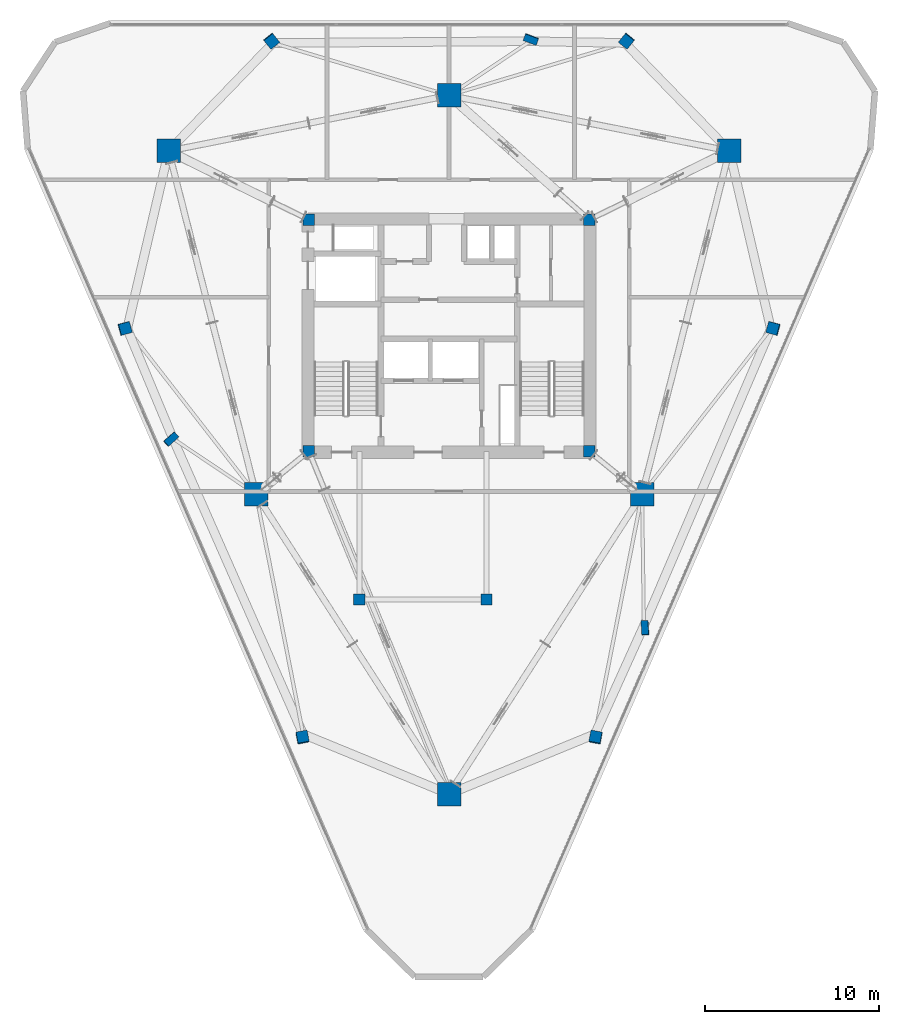
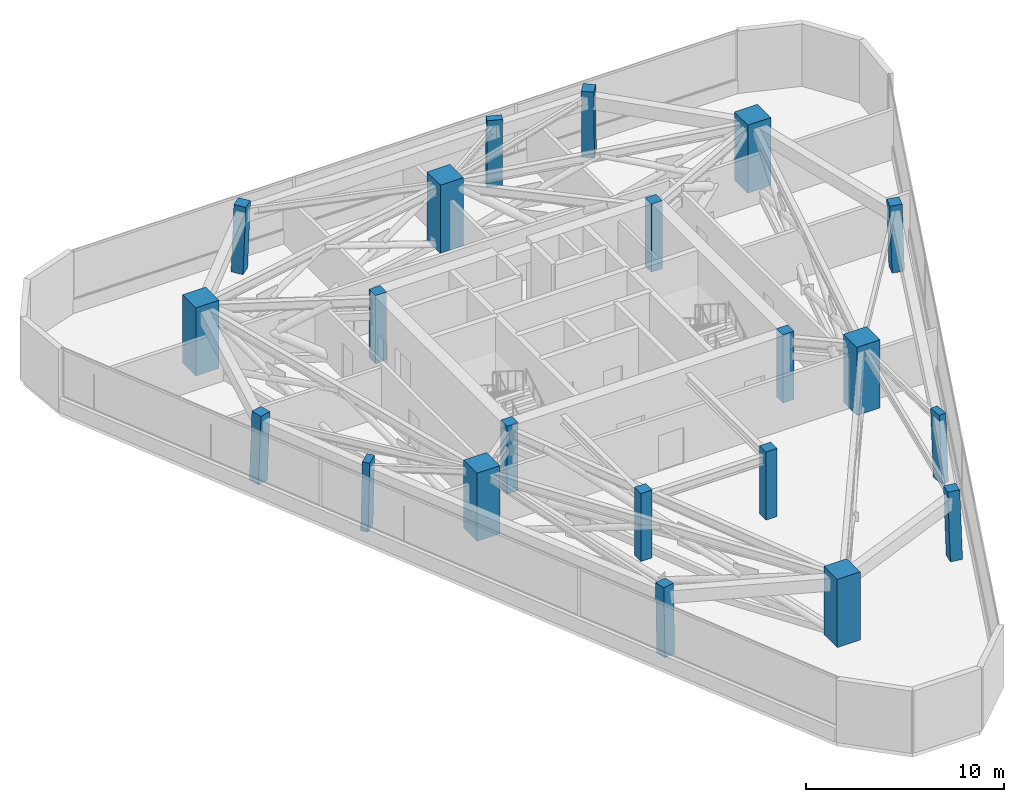
# One storey, part 1 of 12: 21 columns.
"""IFC4 building model written with IfcOpenShell, lengths in metres."""

from ifc_helpers import new_model, si_unit, direction, frame, origin, origin_2d, place, context, subcontext, project, spatial, rectangle, extrude, material, material_profile, profile_set, type_object, element, save


model = new_model("IFC4")

# Units and contexts
model_context = context("Model", 3, precision=1e-05, world=origin(), true_north=direction((0.0, 1.0)))
body_context = subcontext(model_context, "Body", "Model", "MODEL_VIEW")
ifc_project = project(units=[si_unit("LENGTHUNIT", "METRE"), si_unit("AREAUNIT", "SQUARE_METRE"), si_unit("VOLUMEUNIT", "CUBIC_METRE"), si_unit("PLANEANGLEUNIT", "RADIAN"), si_unit("MASSUNIT", "GRAM", prefix="KILO")], contexts=[model_context])

# Site, building, storey
site_placement = place(None, origin())
site = spatial("IfcSite", under=ifc_project, at=site_placement, CompositionType="ELEMENT")
building_placement = place(site_placement, origin())
building = spatial("IfcBuilding", under=site, at=building_placement, Name="Talyreon Biosciences Tower", CompositionType="ELEMENT")
storey_placement = place(building_placement, frame((0.0, 0.0, 223.199951171875)))
storey = spatial("IfcBuildingStorey", under=building, at=storey_placement, Name="L59", CompositionType="ELEMENT", Elevation=223.199951171875)

# Columns
ifc_material_1 = material(Name="Precast concrete C45/55", Category="concrete")
ifc_material_profile_1 = material_profile(ifc_material_1, rectangle(XDim=0.800048828125, YDim=0.39990234375, at=origin_2d()), Name="RC 800x400")
ifc_profile_set_1 = profile_set([ifc_material_profile_1], Name="Precast concrete C45/55")
column_type_1 = type_object("IfcColumnType", Name="FacadePilaster_800x400", PredefinedType="PILASTER", material=ifc_profile_set_1)
column_1_placement = place(storey_placement, frame((77.263427734375, 51.19482421875, 0.0029296875), z_axis=(-0.016985598882, 0.033331329314, 0.999300010966), x_axis=(0.061407258904, -0.997522718132, 0.034315817981)))
element("IfcColumn", 1, at=column_1_placement, inside=storey, type_object=column_type_1, Name="L59 Facade Pilaster PL-SE", PredefinedType="PILASTER", context=body_context, shape_type="SweptSolid", body=[
    extrude(rectangle(XDim=0.800048828125, YDim=0.39990234375, at=origin_2d()), origin(), (0.0, 0.0, 1.0), 4.197021484375),
])
column_2_placement = place(storey_placement, frame((70.70947265625, 85.023681640625, 0.0029296875), z_axis=(-0.010763780112, -0.0290912976, 0.999518802946), x_axis=(-0.937861842681, 0.347008881792, 0.0)))
element("IfcColumn", 2, at=column_2_placement, inside=storey, type_object=column_type_1, Name="L59 Facade Pilaster PL-N", PredefinedType="PILASTER", context=body_context, shape_type="SweptSolid", body=[
    extrude(rectangle(XDim=0.800048828125, YDim=0.39990234375, at=origin_2d()), origin(), (0.0, 0.0, 1.0), 4.196044921875),
])
column_3_placement = place(storey_placement, frame((50.02685546875, 62.043701171875, 0.0029296875), z_axis=(0.027812729402, 0.009193328966, 0.999570875319), x_axis=(0.745602388186, 0.665849137868, -0.02687013827)))
element("IfcColumn", 3, at=column_3_placement, inside=storey, type_object=column_type_1, Name="L59 Facade Pilaster PL-SW", PredefinedType="PILASTER", context=body_context, shape_type="SweptSolid", body=[
    extrude(rectangle(XDim=0.800048828125, YDim=0.39990234375, at=origin_2d()), origin(), (0.0, 0.0, 1.0), 4.19580078125),
])
ifc_material_2 = material(Name="Concrete C50/60", Category="concrete")
ifc_material_profile_2 = material_profile(ifc_material_2, rectangle(XDim=1.35009765625, YDim=1.35009765625, at=origin_2d()), Name="RC 1350x1350")
ifc_profile_set_2 = profile_set([ifc_material_profile_2], Name="Concrete C50/60")
column_type_2 = type_object("IfcColumnType", Name="MegaColumn_1350", PredefinedType="COLUMN", material=ifc_profile_set_2)
for number, where, z_axis, x_axis, name in (
    (4, (66.0, 41.6669921875, 0.0), (0.0, 0.0, 1.0), (1.0, 0.0, 0.0), "L59 Composite Mega-Column MC1"),
    (5, (82.102294921875, 78.5986328125, 0.0), (0.0, 0.0, 1.0), (1.0, 0.0, 0.0), "L59 Composite Mega-Column MC2"),
    (6, (49.897705078125, 78.5986328125, 0.0), (0.0, 0.0, 1.0), (1.0, 0.0, 0.0), "L59 Composite Mega-Column MC3"),
    (7, (77.086181640625, 58.88037109375, 0.0), (0.0, 0.0, 1.0), (1.0, 0.0, 0.0), "L59 Composite Mega-Column MC4"),
    (8, (66.0, 81.788818359375, 0.0), (0.0, 0.0, 1.0), (1.0, 0.0, 0.0), "L59 Composite Mega-Column MC5"),
    (9, (54.913818359375, 58.88037109375, 0.0), (0.0, 0.0, 1.0), (1.0, 0.0, 0.0), "L59 Composite Mega-Column MC6"),
):
    element("IfcColumn", number, at=place(storey_placement, frame(where, z_axis=z_axis, x_axis=x_axis)), inside=storey, type_object=column_type_2, Name=name, PredefinedType="COLUMN", context=body_context, shape_type="SweptSolid", body=[
        extrude(rectangle(XDim=1.35009765625, YDim=1.35009765625, at=origin_2d()), origin(), (0.0, 0.0, 1.0), 4.199951171875),
    ])
ifc_material_profile_3 = material_profile(ifc_material_2, rectangle(XDim=0.64990234375, YDim=0.64990234375, at=origin_2d()), Name="RC 650x650")
ifc_profile_set_3 = profile_set([ifc_material_profile_3], Name="Concrete C50/60")
column_type_3 = type_object("IfcColumnType", Name="PerimeterColumn_650", PredefinedType="COLUMN", material=ifc_profile_set_3)
for number, where, z_axis, x_axis, name in (
    (10, (57.949951171875, 61.35009765625, 0.0), (0.0, 0.0, 1.0), (1.0, 0.0, 0.0), "L59 Core Column CC1"),
    (11, (74.050048828125, 61.35009765625, 0.0), (0.0, 0.0, 1.0), (1.0, 0.0, 0.0), "L59 Core Column CC2"),
    (12, (74.050048828125, 74.64990234375, 0.0), (0.0, 0.0, 1.0), (1.0, 0.0, 0.0), "L59 Core Column CC3"),
    (13, (57.949951171875, 74.64990234375, 0.0), (0.0, 0.0, 1.0), (1.0, 0.0, 0.0), "L59 Core Column CC4"),
    (14, (60.85009765625, 52.840087890625, 0.0), (0.0, 0.0, 1.0), (1.0, 0.0, 0.0), "L59 Core Column CSW"),
    (15, (68.14990234375, 52.840087890625, 0.0), (0.0, 0.0, 1.0), (1.0, 0.0, 0.0), "L59 Core Column CSE"),
):
    element("IfcColumn", number, at=place(storey_placement, frame(where, z_axis=z_axis, x_axis=x_axis)), inside=storey, type_object=column_type_3, Name=name, PredefinedType="COLUMN", context=body_context, shape_type="SweptSolid", body=[
        extrude(rectangle(XDim=0.64990234375, YDim=0.64990234375, at=origin_2d()), origin(), (0.0, 0.0, 1.0), 4.199951171875),
    ])
column_4_placement = place(storey_placement, frame((74.424560546875, 44.90625, 0.0029296875), z_axis=(-0.010698106163, 0.047385633276, 0.998819379209), x_axis=(-0.186656257823, -0.981414177515, 0.044560673103)))
element("IfcColumn", 16, at=column_4_placement, inside=storey, type_object=column_type_3, Name="L59 Tapering Perimeter Column PC-SE1", PredefinedType="COLUMN", context=body_context, shape_type="SweptSolid", body=[
    extrude(rectangle(XDim=0.64990234375, YDim=0.64990234375, at=origin_2d()), origin(), (0.0, 0.0, 1.0), 4.198974609375),
])
column_5_placement = place(storey_placement, frame((84.628662109375, 68.412109375, 0.0029296875), z_axis=(-0.034091179507, -0.004886790236, 0.999406779425), x_axis=(0.963979503645, -0.264093737155, 0.031591368253)))
element("IfcColumn", 17, at=column_5_placement, inside=storey, type_object=column_type_3, Name="L59 Tapering Perimeter Column PC-SE2", PredefinedType="COLUMN", context=body_context, shape_type="SweptSolid", body=[
    extrude(rectangle(XDim=0.64990234375, YDim=0.64990234375, at=origin_2d()), origin(), (0.0, 0.0, 1.0), 4.196533203125),
])
for number, where, z_axis, x_axis, name in (
    (18, (76.2041015625, 84.923828125, 0.0029296875), (-0.023384322481, -0.029143148167, 0.999301681364), (-0.779956681152, 0.625833504637, 0.0), "L59 Tapering Perimeter Column PC-N1"),
    (19, (55.7958984375, 84.923828125, 0.0029296875), (0.023384322481, -0.029143148167, 0.999301681364), (-0.779956681152, -0.625833504637, 0.0), "L59 Tapering Perimeter Column PC-N2"),
):
    element("IfcColumn", number, at=place(storey_placement, frame(where, z_axis=z_axis, x_axis=x_axis)), inside=storey, type_object=column_type_3, Name=name, PredefinedType="COLUMN", context=body_context, shape_type="SweptSolid", body=[
        extrude(rectangle(XDim=0.64990234375, YDim=0.64990234375, at=origin_2d()), origin(), (0.0, 0.0, 1.0), 4.197021484375),
    ])
column_6_placement = place(storey_placement, frame((47.371337890625, 68.412109375, 0.0029296875), z_axis=(0.034091179507, -0.004886790236, 0.999406779425), x_axis=(0.963979503645, 0.264093737155, -0.031591368253)))
element("IfcColumn", 20, at=column_6_placement, inside=storey, type_object=column_type_3, Name="L59 Tapering Perimeter Column PC-SW1", PredefinedType="COLUMN", context=body_context, shape_type="SweptSolid", body=[
    extrude(rectangle(XDim=0.64990234375, YDim=0.64990234375, at=origin_2d()), origin(), (0.0, 0.0, 1.0), 4.196533203125),
])
column_7_placement = place(storey_placement, frame((57.575439453125, 44.90625, 0.0029296875), z_axis=(0.010698106163, 0.047385633276, 0.998819379209), x_axis=(-0.186656257823, 0.981414177515, -0.044560673103)))
element("IfcColumn", 21, at=column_7_placement, inside=storey, type_object=column_type_3, Name="L59 Tapering Perimeter Column PC-SW2", PredefinedType="COLUMN", context=body_context, shape_type="SweptSolid", body=[
    extrude(rectangle(XDim=0.64990234375, YDim=0.64990234375, at=origin_2d()), origin(), (0.0, 0.0, 1.0), 4.198974609375),
])

save(model, "model.ifc")
